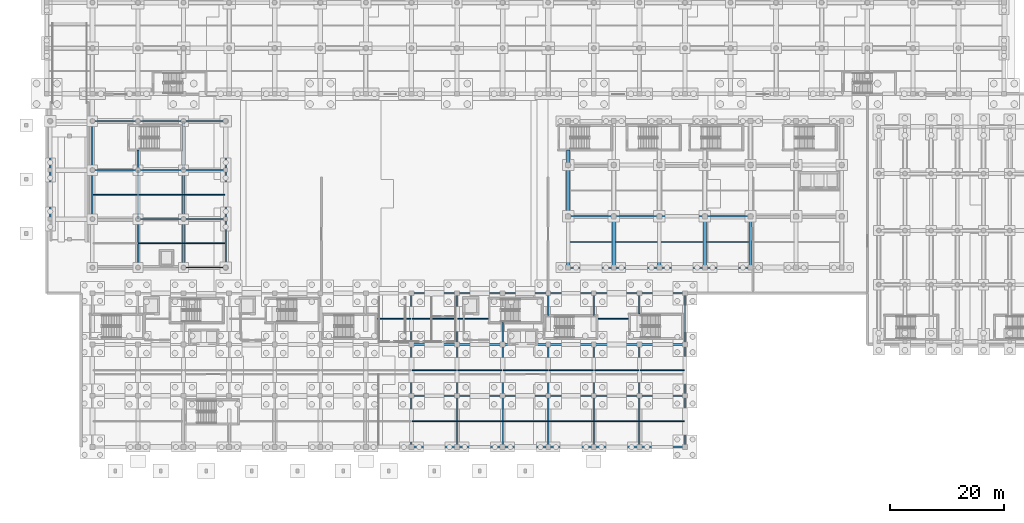
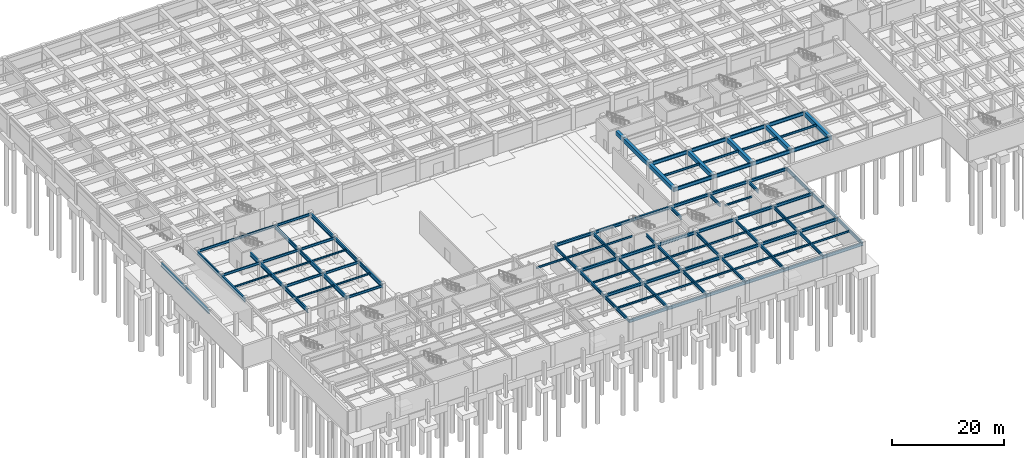
# One storey, part 19 of 48: 107 beams.
"""IFC4 building model written with IfcOpenShell, lengths in metres."""

from ifc_helpers import new_model, si_unit, direction, frame, origin, origin_2d, place, context, subcontext, project, spatial, rectangle, i_section, extrude, material, material_profile, profile_set, type_object, element, save


model = new_model("IFC4")

# Units and contexts
model_context = context("Model", 3, precision=1e-05, world=origin(), true_north=direction((0.0, 1.0)))
body_context = subcontext(model_context, "Body", "Model", "MODEL_VIEW")
ifc_project = project(units=[si_unit("LENGTHUNIT", "METRE"), si_unit("AREAUNIT", "SQUARE_METRE"), si_unit("VOLUMEUNIT", "CUBIC_METRE"), si_unit("PLANEANGLEUNIT", "RADIAN"), si_unit("MASSUNIT", "GRAM", prefix="KILO")], contexts=[model_context])

# Site, building, storey
site_placement = place(None, origin())
site = spatial("IfcSite", under=ifc_project, at=site_placement, CompositionType="ELEMENT")
building_placement = place(site_placement, origin())
building = spatial("IfcBuilding", under=site, at=building_placement, Name="Tlacozan Convention Centre", CompositionType="ELEMENT")
storey_placement = place(building_placement, frame((0.0, 0.0, -4.800048828125)))
storey = spatial("IfcBuildingStorey", under=building, at=storey_placement, Name="B01", CompositionType="ELEMENT", Elevation=-4.800048828125)

# Beams
ifc_material_1 = material(Name="Steel ASTM A992 Grade 50", Category="steel")
ifc_material_profile_1 = material_profile(ifc_material_1, i_section(OverallWidth=0.2109375, OverallDepth=0.5390625, WebThickness=0.01171875, FlangeThickness=0.018798828125, FilletRadius=0.012939453125, at=origin_2d()), Name="IR 533x109.0")
ifc_profile_set_1 = profile_set([ifc_material_profile_1], Name="Steel ASTM A992 Grade 50")
beam_type_1 = type_object("IfcBeamType", Name="Floor Beam IR 533x109", PredefinedType="BEAM", material=ifc_profile_set_1)
for number, where, z_axis, x_axis, name in (
    (1, (8.0, 48.60009765625, 4.170654296875), (1.0, 0.0, 0.0), (0.0, 1.0, 0.0), "B01 Floor Beam IR 533x109 1635"),
    (2, (8.0, 57.199951171875, 4.170654296875), (1.0, 0.0, 0.0), (0.0, 1.0, 0.0), "B01 Floor Beam IR 533x109 1636"),
    (3, (16.0, 40.0, 4.170654296875), (1.0, 0.0, 0.0), (0.0, 1.0, 0.0), "B01 Floor Beam IR 533x109 1640"),
    (4, (16.0, 48.60009765625, 4.170654296875), (1.0, 0.0, 0.0), (0.0, 1.0, 0.0), "B01 Floor Beam IR 533x109 1641"),
    (5, (16.0, 57.199951171875, 4.170654296875), (1.0, 0.0, 0.0), (0.0, 1.0, 0.0), "B01 Floor Beam IR 533x109 1642"),
):
    element("IfcBeam", number, at=place(storey_placement, frame(where, z_axis=z_axis, x_axis=x_axis)), inside=storey, type_object=beam_type_1, Name=name, PredefinedType="BEAM", context=body_context, shape_type="SweptSolid", body=[
        extrude(i_section(OverallWidth=0.2109375, OverallDepth=0.5390625, WebThickness=0.01171875, FlangeThickness=0.018798828125, FilletRadius=0.012939453125, at=origin_2d()), origin(), (0.0, 0.0, 1.0), 8.0),
    ])
for number, where, z_axis, x_axis, name in (
    (6, (24.0, 31.5, 4.170654296875), (1.0, 0.0, 0.0), (0.0, 1.0, 0.0), "B01 Floor Beam IR 533x109 1645"),
    (7, (24.0, 40.0, 4.170654296875), (1.0, 0.0, 0.0), (0.0, 1.0, 0.0), "B01 Floor Beam IR 533x109 1646"),
    (8, (24.0, 48.60009765625, 4.170654296875), (1.0, 0.0, 0.0), (0.0, 1.0, 0.0), "B01 Floor Beam IR 533x109 1647"),
    (9, (24.0, 57.199951171875, 4.170654296875), (1.0, 0.0, 0.0), (0.0, 1.0, 0.0), "B01 Floor Beam IR 533x109 1648"),
):
    element("IfcBeam", number, at=place(storey_placement, frame(where, z_axis=z_axis, x_axis=x_axis)), inside=storey, type_object=beam_type_1, Name=name, PredefinedType="BEAM", context=body_context, shape_type="SweptSolid", body=[
        extrude(i_section(OverallWidth=0.2109375, OverallDepth=0.5390625, WebThickness=0.01171875, FlangeThickness=0.018798828125, FilletRadius=0.012939453125, at=origin_2d()), origin(), (0.0, 0.0, 1.0), 7.39990234375),
    ])
ifc_material_profile_2 = material_profile(ifc_material_1, i_section(OverallWidth=0.323974609375, OverallDepth=0.611083984375, WebThickness=0.0126953125, FlangeThickness=0.01904296875, FilletRadius=0.012939453125, at=origin_2d()), Name="IR 610x155.0")
ifc_profile_set_2 = profile_set([ifc_material_profile_2], Name="Steel ASTM A992 Grade 50")
beam_type_2 = type_object("IfcBeamType", Name="Floor Beam IR 610x155", PredefinedType="BEAM", material=ifc_profile_set_2)
for number, where, z_axis, x_axis, name in (
    (10, (64.0, 0.0, 4.134521484375), (1.0, 0.0, 0.0), (0.0, 1.0, 0.0), "B01 Floor Beam IR 610x155 71"),
    (11, (64.0, 9.0, 4.134521484375), (1.0, 0.0, 0.0), (0.0, 1.0, 0.0), "B01 Floor Beam IR 610x155 72"),
    (12, (64.0, 18.0, 4.134521484375), (1.0, 0.0, 0.0), (0.0, 1.0, 0.0), "B01 Floor Beam IR 610x155 73"),
    (13, (64.0, 27.0, 4.134521484375), (1.0, 0.0, 0.0), (0.0, 1.0, 0.0), "B01 Floor Beam IR 610x155 74"),
    (14, (72.0, 0.0, 4.134521484375), (1.0, 0.0, 0.0), (0.0, 1.0, 0.0), "B01 Floor Beam IR 610x155 75"),
    (15, (72.0, 9.0, 4.134521484375), (1.0, 0.0, 0.0), (0.0, 1.0, 0.0), "B01 Floor Beam IR 610x155 76"),
    (16, (72.0, 18.0, 4.134521484375), (1.0, 0.0, 0.0), (0.0, 1.0, 0.0), "B01 Floor Beam IR 610x155 77"),
    (17, (72.0, 27.0, 4.134521484375), (1.0, 0.0, 0.0), (0.0, 1.0, 0.0), "B01 Floor Beam IR 610x155 78"),
    (18, (80.0, 0.0, 4.134521484375), (1.0, 0.0, 0.0), (0.0, 1.0, 0.0), "B01 Floor Beam IR 610x155 79"),
    (19, (80.0, 9.0, 4.134521484375), (1.0, 0.0, 0.0), (0.0, 1.0, 0.0), "B01 Floor Beam IR 610x155 80"),
    (20, (80.0, 18.0, 4.134521484375), (1.0, 0.0, 0.0), (0.0, 1.0, 0.0), "B01 Floor Beam IR 610x155 81"),
    (21, (80.0, 27.0, 4.134521484375), (1.0, 0.0, 0.0), (0.0, 1.0, 0.0), "B01 Floor Beam IR 610x155 82"),
    (22, (88.0, 0.0, 4.134521484375), (1.0, 0.0, 0.0), (0.0, 1.0, 0.0), "B01 Floor Beam IR 610x155 83"),
    (23, (88.0, 9.0, 4.134521484375), (1.0, 0.0, 0.0), (0.0, 1.0, 0.0), "B01 Floor Beam IR 610x155 84"),
    (24, (88.0, 18.0, 4.134521484375), (1.0, 0.0, 0.0), (0.0, 1.0, 0.0), "B01 Floor Beam IR 610x155 85"),
    (25, (88.0, 27.0, 4.134521484375), (1.0, 0.0, 0.0), (0.0, 1.0, 0.0), "B01 Floor Beam IR 610x155 86"),
    (26, (96.0, 0.0, 4.134521484375), (1.0, 0.0, 0.0), (0.0, 1.0, 0.0), "B01 Floor Beam IR 610x155 87"),
    (27, (96.0, 9.0, 4.134521484375), (1.0, 0.0, 0.0), (0.0, 1.0, 0.0), "B01 Floor Beam IR 610x155 88"),
    (28, (96.0, 18.0, 4.134521484375), (1.0, 0.0, 0.0), (0.0, 1.0, 0.0), "B01 Floor Beam IR 610x155 89"),
    (29, (96.0, 27.0, 4.134521484375), (1.0, 0.0, 0.0), (0.0, 1.0, 0.0), "B01 Floor Beam IR 610x155 90"),
    (30, (104.0, 0.0, 4.134521484375), (1.0, 0.0, 0.0), (0.0, 1.0, 0.0), "B01 Floor Beam IR 610x155 91"),
    (31, (104.0, 9.0, 4.134521484375), (1.0, 0.0, 0.0), (0.0, 1.0, 0.0), "B01 Floor Beam IR 610x155 92"),
    (32, (104.0, 18.0, 4.134521484375), (1.0, 0.0, 0.0), (0.0, 1.0, 0.0), "B01 Floor Beam IR 610x155 93"),
    (33, (104.0, 27.0, 4.134521484375), (1.0, 0.0, 0.0), (0.0, 1.0, 0.0), "B01 Floor Beam IR 610x155 94"),
):
    element("IfcBeam", number, at=place(storey_placement, frame(where, z_axis=z_axis, x_axis=x_axis)), inside=storey, type_object=beam_type_2, Name=name, PredefinedType="BEAM", context=body_context, shape_type="SweptSolid", body=[
        extrude(i_section(OverallWidth=0.323974609375, OverallDepth=0.611083984375, WebThickness=0.0126953125, FlangeThickness=0.01904296875, FilletRadius=0.012939453125, at=origin_2d()), origin(), (0.0, 0.0, 1.0), 8.0),
    ])
ifc_material_2 = material(Name="Concrete C40/50", Category="concrete")
ifc_material_profile_3 = material_profile(ifc_material_2, rectangle(XDim=0.60009765625, YDim=0.89990234375, at=origin_2d()), Name="RC 600x900")
ifc_profile_set_3 = profile_set([ifc_material_profile_3], Name="Concrete C40/50")
beam_type_3 = type_object("IfcBeamType", Name="Girder RC 600x900", PredefinedType="BEAM", material=ifc_profile_set_3)
for number, where, z_axis, x_axis, name in (
    (34, (91.5, 31.5, 3.989990234375), (0.0, 1.0, 0.0), (-1.0, 0.0, 0.0), "B01 Girder RC 600x900 1351"),
    (35, (91.5, 40.5, 3.989990234375), (0.0, 1.0, 0.0), (-1.0, 0.0, 0.0), "B01 Girder RC 600x900 1352"),
):
    element("IfcBeam", number, at=place(storey_placement, frame(where, z_axis=z_axis, x_axis=x_axis)), inside=storey, type_object=beam_type_3, Name=name, PredefinedType="BEAM", context=body_context, shape_type="SweptSolid", body=[
        extrude(rectangle(XDim=0.60009765625, YDim=0.89990234375, at=origin_2d()), origin(), (0.0, 0.0, 1.0), 9.0),
    ])
beam_1_placement = place(storey_placement, frame((91.5, 49.5, 3.989990234375), z_axis=(0.0, 1.0, 0.0), x_axis=(-1.0, 0.0, 0.0)))
element("IfcBeam", 36, at=beam_1_placement, inside=storey, type_object=beam_type_3, Name="B01 Girder RC 600x900 1353", PredefinedType="BEAM", context=body_context, shape_type="SweptSolid", body=[
    extrude(rectangle(XDim=0.60009765625, YDim=0.89990234375, at=origin_2d()), origin(), (0.0, 0.0, 1.0), 2.639892578125),
])
for number, where, z_axis, x_axis, name in (
    (37, (99.5, 31.5, 3.989990234375), (0.0, 1.0, 0.0), (-1.0, 0.0, 0.0), "B01 Girder RC 600x900 1354"),
    (38, (107.5, 31.5, 3.989990234375), (0.0, 1.0, 0.0), (-1.0, 0.0, 0.0), "B01 Girder RC 600x900 1357"),
    (39, (115.5, 31.5, 3.989990234375), (0.0, 1.0, 0.0), (-1.0, 0.0, 0.0), "B01 Girder RC 600x900 1360"),
    (40, (123.5, 31.5, 3.989990234375), (0.0, 1.0, 0.0), (-1.0, 0.0, 0.0), "B01 Girder RC 600x900 1363"),
):
    element("IfcBeam", number, at=place(storey_placement, frame(where, z_axis=z_axis, x_axis=x_axis)), inside=storey, type_object=beam_type_3, Name=name, PredefinedType="BEAM", context=body_context, shape_type="SweptSolid", body=[
        extrude(rectangle(XDim=0.60009765625, YDim=0.89990234375, at=origin_2d()), origin(), (0.0, 0.0, 1.0), 9.0),
    ])
ifc_material_profile_4 = material_profile(ifc_material_1, i_section(OverallWidth=0.256103515625, OverallDepth=0.693115234375, WebThickness=0.014404296875, FlangeThickness=0.023681640625, FilletRadius=0.014892578125, at=origin_2d()), Name="IR 686x170.0")
ifc_profile_set_4 = profile_set([ifc_material_profile_4], Name="Steel ASTM A992 Grade 50")
beam_type_4 = type_object("IfcBeamType", Name="Girder Steel IR 686x170", PredefinedType="BEAM", material=ifc_profile_set_4)
for number, where, z_axis, x_axis, name in (
    (41, (64.0, 0.0, 4.093505859375), (0.0, 1.0, 0.0), (-1.0, 0.0, 0.0), "B01 Girder Steel IR 686x170 22"),
    (42, (64.0, 9.0, 4.093505859375), (0.0, 1.0, 0.0), (-1.0, 0.0, 0.0), "B01 Girder Steel IR 686x170 23"),
    (43, (64.0, 18.0, 4.093505859375), (0.0, 1.0, 0.0), (-1.0, 0.0, 0.0), "B01 Girder Steel IR 686x170 24"),
    (44, (72.0, 0.0, 4.093505859375), (0.0, 1.0, 0.0), (-1.0, 0.0, 0.0), "B01 Girder Steel IR 686x170 25"),
    (45, (72.0, 9.0, 4.093505859375), (0.0, 1.0, 0.0), (-1.0, 0.0, 0.0), "B01 Girder Steel IR 686x170 26"),
    (46, (72.0, 18.0, 4.093505859375), (0.0, 1.0, 0.0), (-1.0, 0.0, 0.0), "B01 Girder Steel IR 686x170 27"),
    (47, (80.0, 0.0, 4.093505859375), (0.0, 1.0, 0.0), (-1.0, 0.0, 0.0), "B01 Girder Steel IR 686x170 28"),
    (48, (80.0, 9.0, 4.093505859375), (0.0, 1.0, 0.0), (-1.0, 0.0, 0.0), "B01 Girder Steel IR 686x170 29"),
):
    element("IfcBeam", number, at=place(storey_placement, frame(where, z_axis=z_axis, x_axis=x_axis)), inside=storey, type_object=beam_type_4, Name=name, PredefinedType="BEAM", context=body_context, shape_type="SweptSolid", body=[
        extrude(i_section(OverallWidth=0.256103515625, OverallDepth=0.693115234375, WebThickness=0.014404296875, FlangeThickness=0.023681640625, FilletRadius=0.014892578125, at=origin_2d()), origin(), (0.0, 0.0, 1.0), 9.0),
    ])
beam_2_placement = place(storey_placement, frame((80.0, 18.0, 4.093505859375), z_axis=(0.0, 1.0, 0.0), x_axis=(-1.0, 0.0, 0.0)))
element("IfcBeam", 49, at=beam_2_placement, inside=storey, type_object=beam_type_4, Name="B01 Girder Steel IR 686x170 30", PredefinedType="BEAM", context=body_context, shape_type="SweptSolid", body=[
    extrude(i_section(OverallWidth=0.256103515625, OverallDepth=0.693115234375, WebThickness=0.014404296875, FlangeThickness=0.023681640625, FilletRadius=0.014892578125, at=origin_2d()), origin(), (0.0, 0.0, 1.0), 3.840087890625),
])
for number, where, z_axis, x_axis, name in (
    (50, (88.0, 0.0, 4.093505859375), (0.0, 1.0, 0.0), (-1.0, 0.0, 0.0), "B01 Girder Steel IR 686x170 31"),
    (51, (88.0, 9.0, 4.093505859375), (0.0, 1.0, 0.0), (-1.0, 0.0, 0.0), "B01 Girder Steel IR 686x170 32"),
):
    element("IfcBeam", number, at=place(storey_placement, frame(where, z_axis=z_axis, x_axis=x_axis)), inside=storey, type_object=beam_type_4, Name=name, PredefinedType="BEAM", context=body_context, shape_type="SweptSolid", body=[
        extrude(i_section(OverallWidth=0.256103515625, OverallDepth=0.693115234375, WebThickness=0.014404296875, FlangeThickness=0.023681640625, FilletRadius=0.014892578125, at=origin_2d()), origin(), (0.0, 0.0, 1.0), 9.0),
    ])
beam_3_placement = place(storey_placement, frame((88.0, 23.06005859375, 4.093505859375), z_axis=(0.0, 1.0, 0.0), x_axis=(-1.0, 0.0, 0.0)))
element("IfcBeam", 52, at=beam_3_placement, inside=storey, type_object=beam_type_4, Name="B01 Girder Steel IR 686x170 33", PredefinedType="BEAM", context=body_context, shape_type="SweptSolid", body=[
    extrude(i_section(OverallWidth=0.256103515625, OverallDepth=0.693115234375, WebThickness=0.014404296875, FlangeThickness=0.023681640625, FilletRadius=0.014892578125, at=origin_2d()), origin(), (0.0, 0.0, 1.0), 3.93994140625),
])
for number, where, z_axis, x_axis, name in (
    (53, (96.0, 0.0, 4.093505859375), (0.0, 1.0, 0.0), (-1.0, 0.0, 0.0), "B01 Girder Steel IR 686x170 34"),
    (54, (96.0, 9.0, 4.093505859375), (0.0, 1.0, 0.0), (-1.0, 0.0, 0.0), "B01 Girder Steel IR 686x170 35"),
):
    element("IfcBeam", number, at=place(storey_placement, frame(where, z_axis=z_axis, x_axis=x_axis)), inside=storey, type_object=beam_type_4, Name=name, PredefinedType="BEAM", context=body_context, shape_type="SweptSolid", body=[
        extrude(i_section(OverallWidth=0.256103515625, OverallDepth=0.693115234375, WebThickness=0.014404296875, FlangeThickness=0.023681640625, FilletRadius=0.014892578125, at=origin_2d()), origin(), (0.0, 0.0, 1.0), 9.0),
    ])
beam_4_placement = place(storey_placement, frame((96.0, 23.06005859375, 4.093505859375), z_axis=(0.0, 1.0, 0.0), x_axis=(-1.0, 0.0, 0.0)))
element("IfcBeam", 55, at=beam_4_placement, inside=storey, type_object=beam_type_4, Name="B01 Girder Steel IR 686x170 36", PredefinedType="BEAM", context=body_context, shape_type="SweptSolid", body=[
    extrude(i_section(OverallWidth=0.256103515625, OverallDepth=0.693115234375, WebThickness=0.014404296875, FlangeThickness=0.023681640625, FilletRadius=0.014892578125, at=origin_2d()), origin(), (0.0, 0.0, 1.0), 3.93994140625),
])
for number, where, z_axis, x_axis, name in (
    (56, (104.0, 0.0, 4.093505859375), (0.0, 1.0, 0.0), (-1.0, 0.0, 0.0), "B01 Girder Steel IR 686x170 37"),
    (57, (104.0, 9.0, 4.093505859375), (0.0, 1.0, 0.0), (-1.0, 0.0, 0.0), "B01 Girder Steel IR 686x170 38"),
):
    element("IfcBeam", number, at=place(storey_placement, frame(where, z_axis=z_axis, x_axis=x_axis)), inside=storey, type_object=beam_type_4, Name=name, PredefinedType="BEAM", context=body_context, shape_type="SweptSolid", body=[
        extrude(i_section(OverallWidth=0.256103515625, OverallDepth=0.693115234375, WebThickness=0.014404296875, FlangeThickness=0.023681640625, FilletRadius=0.014892578125, at=origin_2d()), origin(), (0.0, 0.0, 1.0), 9.0),
    ])
beam_5_placement = place(storey_placement, frame((104.0, 23.320068359375, 4.093505859375), z_axis=(0.0, 1.0, 0.0), x_axis=(-1.0, 0.0, 0.0)))
element("IfcBeam", 58, at=beam_5_placement, inside=storey, type_object=beam_type_4, Name="B01 Girder Steel IR 686x170 39", PredefinedType="BEAM", context=body_context, shape_type="SweptSolid", body=[
    extrude(i_section(OverallWidth=0.256103515625, OverallDepth=0.693115234375, WebThickness=0.014404296875, FlangeThickness=0.023681640625, FilletRadius=0.014892578125, at=origin_2d()), origin(), (0.0, 0.0, 1.0), 3.679931640625),
])
for number, where, z_axis, x_axis, name in (
    (59, (112.0, 0.0, 4.093505859375), (0.0, 1.0, 0.0), (-1.0, 0.0, 0.0), "B01 Girder Steel IR 686x170 40"),
    (60, (112.0, 9.0, 4.093505859375), (0.0, 1.0, 0.0), (-1.0, 0.0, 0.0), "B01 Girder Steel IR 686x170 41"),
    (61, (112.0, 18.0, 4.093505859375), (0.0, 1.0, 0.0), (-1.0, 0.0, 0.0), "B01 Girder Steel IR 686x170 42"),
):
    element("IfcBeam", number, at=place(storey_placement, frame(where, z_axis=z_axis, x_axis=x_axis)), inside=storey, type_object=beam_type_4, Name=name, PredefinedType="BEAM", context=body_context, shape_type="SweptSolid", body=[
        extrude(i_section(OverallWidth=0.256103515625, OverallDepth=0.693115234375, WebThickness=0.014404296875, FlangeThickness=0.023681640625, FilletRadius=0.014892578125, at=origin_2d()), origin(), (0.0, 0.0, 1.0), 9.0),
    ])
ifc_material_profile_5 = material_profile(ifc_material_1, i_section(OverallWidth=0.26806640625, OverallDepth=0.77001953125, WebThickness=0.015625, FlangeThickness=0.025390625, FilletRadius=0.01708984375, at=origin_2d()), Name="IR 762x196.0")
ifc_profile_set_5 = profile_set([ifc_material_profile_5], Name="Steel ASTM A992 Grade 50")
beam_type_5 = type_object("IfcBeamType", Name="Girder Steel IR 762x196", PredefinedType="BEAM", material=ifc_profile_set_5)
for number, where, z_axis, x_axis, name in (
    (62, (91.5, 31.5, 4.054931640625), (1.0, 0.0, 0.0), (0.0, 1.0, 0.0), "B01 Girder Steel IR 762x196 1372"),
    (63, (91.5, 40.5, 4.054931640625), (1.0, 0.0, 0.0), (0.0, 1.0, 0.0), "B01 Girder Steel IR 762x196 1373"),
    (64, (99.5, 31.5, 4.054931640625), (1.0, 0.0, 0.0), (0.0, 1.0, 0.0), "B01 Girder Steel IR 762x196 1378"),
    (65, (99.5, 40.5, 4.054931640625), (1.0, 0.0, 0.0), (0.0, 1.0, 0.0), "B01 Girder Steel IR 762x196 1379"),
    (66, (107.5, 31.5, 4.054931640625), (1.0, 0.0, 0.0), (0.0, 1.0, 0.0), "B01 Girder Steel IR 762x196 1384"),
    (67, (107.5, 40.5, 4.054931640625), (1.0, 0.0, 0.0), (0.0, 1.0, 0.0), "B01 Girder Steel IR 762x196 1385"),
    (68, (115.5, 31.5, 4.054931640625), (1.0, 0.0, 0.0), (0.0, 1.0, 0.0), "B01 Girder Steel IR 762x196 1390"),
    (69, (115.5, 40.5, 4.054931640625), (1.0, 0.0, 0.0), (0.0, 1.0, 0.0), "B01 Girder Steel IR 762x196 1391"),
):
    element("IfcBeam", number, at=place(storey_placement, frame(where, z_axis=z_axis, x_axis=x_axis)), inside=storey, type_object=beam_type_5, Name=name, PredefinedType="BEAM", context=body_context, shape_type="SweptSolid", body=[
        extrude(i_section(OverallWidth=0.26806640625, OverallDepth=0.77001953125, WebThickness=0.015625, FlangeThickness=0.025390625, FilletRadius=0.01708984375, at=origin_2d()), origin(), (0.0, 0.0, 1.0), 8.0),
    ])
ifc_material_profile_6 = material_profile(ifc_material_1, i_section(OverallWidth=0.2939453125, OverallDepth=0.85107421875, WebThickness=0.01611328125, FlangeThickness=0.02685546875, FilletRadius=0.01806640625, at=origin_2d()), Name="IR 838x226.0")
ifc_profile_set_6 = profile_set([ifc_material_profile_6], Name="Steel ASTM A992 Grade 50")
beam_type_6 = type_object("IfcBeamType", Name="Girder Steel IR 838x226", PredefinedType="BEAM", material=ifc_profile_set_6)
beam_6_placement = place(storey_placement, frame((0.60009765625, 40.0, 4.0146484375), z_axis=(0.0, 1.0, 0.0), x_axis=(-1.0, 0.0, 0.0)))
element("IfcBeam", 70, at=beam_6_placement, inside=storey, type_object=beam_type_6, Name="B01 Girder Steel IR 838x226 1619", PredefinedType="BEAM", context=body_context, shape_type="SweptSolid", body=[
    extrude(i_section(OverallWidth=0.2939453125, OverallDepth=0.85107421875, WebThickness=0.01611328125, FlangeThickness=0.02685546875, FilletRadius=0.01806640625, at=origin_2d()), origin(), (0.0, 0.0, 1.0), 8.60009765625),
])
beam_7_placement = place(storey_placement, frame((0.60009765625, 48.60009765625, 4.0146484375), z_axis=(0.0, 1.0, 0.0), x_axis=(-1.0, 0.0, 0.0)))
element("IfcBeam", 71, at=beam_7_placement, inside=storey, type_object=beam_type_6, Name="B01 Girder Steel IR 838x226 1620", PredefinedType="BEAM", context=body_context, shape_type="SweptSolid", body=[
    extrude(i_section(OverallWidth=0.2939453125, OverallDepth=0.85107421875, WebThickness=0.01611328125, FlangeThickness=0.02685546875, FilletRadius=0.01806640625, at=origin_2d()), origin(), (0.0, 0.0, 1.0), 8.599853515625),
])
beam_8_placement = place(storey_placement, frame((8.0, 40.0, 4.0146484375), z_axis=(0.0, 1.0, 0.0), x_axis=(-1.0, 0.0, 0.0)))
element("IfcBeam", 72, at=beam_8_placement, inside=storey, type_object=beam_type_6, Name="B01 Girder Steel IR 838x226 1622", PredefinedType="BEAM", context=body_context, shape_type="SweptSolid", body=[
    extrude(i_section(OverallWidth=0.2939453125, OverallDepth=0.85107421875, WebThickness=0.01611328125, FlangeThickness=0.02685546875, FilletRadius=0.01806640625, at=origin_2d()), origin(), (0.0, 0.0, 1.0), 8.60009765625),
])
beam_9_placement = place(storey_placement, frame((8.0, 48.60009765625, 4.0146484375), z_axis=(0.0, 1.0, 0.0), x_axis=(-1.0, 0.0, 0.0)))
element("IfcBeam", 73, at=beam_9_placement, inside=storey, type_object=beam_type_6, Name="B01 Girder Steel IR 838x226 1623", PredefinedType="BEAM", context=body_context, shape_type="SweptSolid", body=[
    extrude(i_section(OverallWidth=0.2939453125, OverallDepth=0.85107421875, WebThickness=0.01611328125, FlangeThickness=0.02685546875, FilletRadius=0.01806640625, at=origin_2d()), origin(), (0.0, 0.0, 1.0), 8.599853515625),
])
beam_10_placement = place(storey_placement, frame((16.0, 31.5, 4.0146484375), z_axis=(0.0, 1.0, 0.0), x_axis=(-1.0, 0.0, 0.0)))
element("IfcBeam", 74, at=beam_10_placement, inside=storey, type_object=beam_type_6, Name="B01 Girder Steel IR 838x226 1624", PredefinedType="BEAM", context=body_context, shape_type="SweptSolid", body=[
    extrude(i_section(OverallWidth=0.2939453125, OverallDepth=0.85107421875, WebThickness=0.01611328125, FlangeThickness=0.02685546875, FilletRadius=0.01806640625, at=origin_2d()), origin(), (0.0, 0.0, 1.0), 8.5),
])
beam_11_placement = place(storey_placement, frame((16.0, 40.0, 4.0146484375), z_axis=(0.0, 1.0, 0.0), x_axis=(-1.0, 0.0, 0.0)))
element("IfcBeam", 75, at=beam_11_placement, inside=storey, type_object=beam_type_6, Name="B01 Girder Steel IR 838x226 1625", PredefinedType="BEAM", context=body_context, shape_type="SweptSolid", body=[
    extrude(i_section(OverallWidth=0.2939453125, OverallDepth=0.85107421875, WebThickness=0.01611328125, FlangeThickness=0.02685546875, FilletRadius=0.01806640625, at=origin_2d()), origin(), (0.0, 0.0, 1.0), 8.60009765625),
])
beam_12_placement = place(storey_placement, frame((16.0, 48.60009765625, 4.0146484375), z_axis=(0.0, 1.0, 0.0), x_axis=(-1.0, 0.0, 0.0)))
element("IfcBeam", 76, at=beam_12_placement, inside=storey, type_object=beam_type_6, Name="B01 Girder Steel IR 838x226 1626", PredefinedType="BEAM", context=body_context, shape_type="SweptSolid", body=[
    extrude(i_section(OverallWidth=0.2939453125, OverallDepth=0.85107421875, WebThickness=0.01611328125, FlangeThickness=0.02685546875, FilletRadius=0.01806640625, at=origin_2d()), origin(), (0.0, 0.0, 1.0), 3.539794921875),
])
beam_13_placement = place(storey_placement, frame((24.0, 31.5, 4.0146484375), z_axis=(0.0, 1.0, 0.0), x_axis=(-1.0, 0.0, 0.0)))
element("IfcBeam", 77, at=beam_13_placement, inside=storey, type_object=beam_type_6, Name="B01 Girder Steel IR 838x226 1627", PredefinedType="BEAM", context=body_context, shape_type="SweptSolid", body=[
    extrude(i_section(OverallWidth=0.2939453125, OverallDepth=0.85107421875, WebThickness=0.01611328125, FlangeThickness=0.02685546875, FilletRadius=0.01806640625, at=origin_2d()), origin(), (0.0, 0.0, 1.0), 8.5),
])
beam_14_placement = place(storey_placement, frame((24.0, 40.0, 4.0146484375), z_axis=(0.0, 1.0, 0.0), x_axis=(-1.0, 0.0, 0.0)))
element("IfcBeam", 78, at=beam_14_placement, inside=storey, type_object=beam_type_6, Name="B01 Girder Steel IR 838x226 1628", PredefinedType="BEAM", context=body_context, shape_type="SweptSolid", body=[
    extrude(i_section(OverallWidth=0.2939453125, OverallDepth=0.85107421875, WebThickness=0.01611328125, FlangeThickness=0.02685546875, FilletRadius=0.01806640625, at=origin_2d()), origin(), (0.0, 0.0, 1.0), 8.60009765625),
])
beam_15_placement = place(storey_placement, frame((24.0, 48.60009765625, 4.0146484375), z_axis=(0.0, 1.0, 0.0), x_axis=(-1.0, 0.0, 0.0)))
element("IfcBeam", 79, at=beam_15_placement, inside=storey, type_object=beam_type_6, Name="B01 Girder Steel IR 838x226 1629", PredefinedType="BEAM", context=body_context, shape_type="SweptSolid", body=[
    extrude(i_section(OverallWidth=0.2939453125, OverallDepth=0.85107421875, WebThickness=0.01611328125, FlangeThickness=0.02685546875, FilletRadius=0.01806640625, at=origin_2d()), origin(), (0.0, 0.0, 1.0), 8.599853515625),
])
beam_16_placement = place(storey_placement, frame((31.39990234375, 31.5, 4.0146484375), z_axis=(0.0, 1.0, 0.0), x_axis=(-1.0, 0.0, 0.0)))
element("IfcBeam", 80, at=beam_16_placement, inside=storey, type_object=beam_type_6, Name="B01 Girder Steel IR 838x226 1630", PredefinedType="BEAM", context=body_context, shape_type="SweptSolid", body=[
    extrude(i_section(OverallWidth=0.2939453125, OverallDepth=0.85107421875, WebThickness=0.01611328125, FlangeThickness=0.02685546875, FilletRadius=0.01806640625, at=origin_2d()), origin(), (0.0, 0.0, 1.0), 8.5),
])
beam_17_placement = place(storey_placement, frame((31.39990234375, 40.0, 4.0146484375), z_axis=(0.0, 1.0, 0.0), x_axis=(-1.0, 0.0, 0.0)))
element("IfcBeam", 81, at=beam_17_placement, inside=storey, type_object=beam_type_6, Name="B01 Girder Steel IR 838x226 1631", PredefinedType="BEAM", context=body_context, shape_type="SweptSolid", body=[
    extrude(i_section(OverallWidth=0.2939453125, OverallDepth=0.85107421875, WebThickness=0.01611328125, FlangeThickness=0.02685546875, FilletRadius=0.01806640625, at=origin_2d()), origin(), (0.0, 0.0, 1.0), 8.60009765625),
])
beam_18_placement = place(storey_placement, frame((31.39990234375, 48.60009765625, 4.0146484375), z_axis=(0.0, 1.0, 0.0), x_axis=(-1.0, 0.0, 0.0)))
element("IfcBeam", 82, at=beam_18_placement, inside=storey, type_object=beam_type_6, Name="B01 Girder Steel IR 838x226 1632", PredefinedType="BEAM", context=body_context, shape_type="SweptSolid", body=[
    extrude(i_section(OverallWidth=0.2939453125, OverallDepth=0.85107421875, WebThickness=0.01611328125, FlangeThickness=0.02685546875, FilletRadius=0.01806640625, at=origin_2d()), origin(), (0.0, 0.0, 1.0), 8.599853515625),
])
ifc_material_profile_7 = material_profile(ifc_material_1, i_section(OverallWidth=0.173095703125, OverallDepth=0.364013671875, WebThickness=0.009033203125, FlangeThickness=0.015625, FilletRadius=0.010009765625, at=origin_2d()), Name="IR 356x67.1")
ifc_profile_set_7 = profile_set([ifc_material_profile_7], Name="Steel ASTM A992 Grade 50")
beam_type_7 = type_object("IfcBeamType", Name="Secondary Joist IR 356x67.1", PredefinedType="JOIST", material=ifc_profile_set_7)
for number, where, z_axis, x_axis, name in (
    (83, (8.1259765625, 44.300048828125, 4.258056640625), (1.0, 0.0, 0.0), (0.0, 1.0, 0.0), "B01 Secondary Joist IR 356x67.1 1638"),
    (84, (16.1259765625, 35.800048828125, 4.258056640625), (1.0, 0.0, 0.0), (0.0, 1.0, 0.0), "B01 Secondary Joist IR 356x67.1 1643"),
    (85, (16.1259765625, 44.300048828125, 4.258056640625), (1.0, 0.0, 0.0), (0.0, 1.0, 0.0), "B01 Secondary Joist IR 356x67.1 1644"),
):
    element("IfcBeam", number, at=place(storey_placement, frame(where, z_axis=z_axis, x_axis=x_axis)), inside=storey, type_object=beam_type_7, Name=name, PredefinedType="JOIST", context=body_context, shape_type="SweptSolid", body=[
        extrude(i_section(OverallWidth=0.173095703125, OverallDepth=0.364013671875, WebThickness=0.009033203125, FlangeThickness=0.015625, FilletRadius=0.010009765625, at=origin_2d()), origin(), (0.0, 0.0, 1.0), 7.748046875),
    ])
for number, where, z_axis, x_axis, name in (
    (86, (24.1259765625, 35.800048828125, 4.258056640625), (1.0, 0.0, 0.0), (0.0, 1.0, 0.0), "B01 Secondary Joist IR 356x67.1 1649"),
    (87, (24.1259765625, 44.300048828125, 4.258056640625), (1.0, 0.0, 0.0), (0.0, 1.0, 0.0), "B01 Secondary Joist IR 356x67.1 1650"),
):
    element("IfcBeam", number, at=place(storey_placement, frame(where, z_axis=z_axis, x_axis=x_axis)), inside=storey, type_object=beam_type_7, Name=name, PredefinedType="JOIST", context=body_context, shape_type="SweptSolid", body=[
        extrude(i_section(OverallWidth=0.173095703125, OverallDepth=0.364013671875, WebThickness=0.009033203125, FlangeThickness=0.015625, FilletRadius=0.010009765625, at=origin_2d()), origin(), (0.0, 0.0, 1.0), 7.14794921875),
    ])
ifc_material_profile_8 = material_profile(ifc_material_1, i_section(OverallWidth=0.179931640625, OverallDepth=0.4130859375, WebThickness=0.009765625, FlangeThickness=0.01611328125, FilletRadius=0.010986328125, at=origin_2d()), Name="IR 406x74.4")
ifc_profile_set_8 = profile_set([ifc_material_profile_8], Name="Steel ASTM A992 Grade 50")
beam_type_8 = type_object("IfcBeamType", Name="Secondary Joist IR 406x74.4", PredefinedType="JOIST", material=ifc_profile_set_8)
beam_19_placement = place(storey_placement, frame((57.760009765625, 22.5, 4.233642578125), z_axis=(1.0, 0.0, 0.0), x_axis=(0.0, 1.0, 0.0)))
element("IfcBeam", 88, at=beam_19_placement, inside=storey, type_object=beam_type_8, Name="B01 Secondary Joist IR 406x74.4 110", PredefinedType="JOIST", context=body_context, shape_type="SweptSolid", body=[
    extrude(i_section(OverallWidth=0.179931640625, OverallDepth=0.4130859375, WebThickness=0.009765625, FlangeThickness=0.01611328125, FilletRadius=0.010986328125, at=origin_2d()), origin(), (0.0, 0.0, 1.0), 6.114013671875),
])
for number, where, z_axis, x_axis, name in (
    (89, (64.1259765625, 4.5, 4.233642578125), (1.0, 0.0, 0.0), (0.0, 1.0, 0.0), "B01 Secondary Joist IR 406x74.4 111"),
    (90, (64.1259765625, 13.5, 4.233642578125), (1.0, 0.0, 0.0), (0.0, 1.0, 0.0), "B01 Secondary Joist IR 406x74.4 112"),
    (91, (64.1259765625, 22.5, 4.233642578125), (1.0, 0.0, 0.0), (0.0, 1.0, 0.0), "B01 Secondary Joist IR 406x74.4 113"),
    (92, (72.1259765625, 4.5, 4.233642578125), (1.0, 0.0, 0.0), (0.0, 1.0, 0.0), "B01 Secondary Joist IR 406x74.4 114"),
    (93, (72.1259765625, 13.5, 4.233642578125), (1.0, 0.0, 0.0), (0.0, 1.0, 0.0), "B01 Secondary Joist IR 406x74.4 115"),
):
    element("IfcBeam", number, at=place(storey_placement, frame(where, z_axis=z_axis, x_axis=x_axis)), inside=storey, type_object=beam_type_8, Name=name, PredefinedType="JOIST", context=body_context, shape_type="SweptSolid", body=[
        extrude(i_section(OverallWidth=0.179931640625, OverallDepth=0.4130859375, WebThickness=0.009765625, FlangeThickness=0.01611328125, FilletRadius=0.010986328125, at=origin_2d()), origin(), (0.0, 0.0, 1.0), 7.748046875),
    ])
beam_20_placement = place(storey_placement, frame((72.1259765625, 22.5, 4.233642578125), z_axis=(1.0, 0.0, 0.0), x_axis=(0.0, 1.0, 0.0)))
element("IfcBeam", 94, at=beam_20_placement, inside=storey, type_object=beam_type_8, Name="B01 Secondary Joist IR 406x74.4 116", PredefinedType="JOIST", context=body_context, shape_type="SweptSolid", body=[
    extrude(i_section(OverallWidth=0.179931640625, OverallDepth=0.4130859375, WebThickness=0.009765625, FlangeThickness=0.01611328125, FilletRadius=0.010986328125, at=origin_2d()), origin(), (0.0, 0.0, 1.0), 5.513916015625),
])
for number, where, z_axis, x_axis, name in (
    (95, (80.1259765625, 4.5, 4.233642578125), (1.0, 0.0, 0.0), (0.0, 1.0, 0.0), "B01 Secondary Joist IR 406x74.4 117"),
    (96, (80.1259765625, 13.5, 4.233642578125), (1.0, 0.0, 0.0), (0.0, 1.0, 0.0), "B01 Secondary Joist IR 406x74.4 118"),
    (97, (88.1259765625, 4.5, 4.233642578125), (1.0, 0.0, 0.0), (0.0, 1.0, 0.0), "B01 Secondary Joist IR 406x74.4 119"),
    (98, (88.1259765625, 13.5, 4.233642578125), (1.0, 0.0, 0.0), (0.0, 1.0, 0.0), "B01 Secondary Joist IR 406x74.4 120"),
    (99, (96.1259765625, 4.5, 4.233642578125), (1.0, 0.0, 0.0), (0.0, 1.0, 0.0), "B01 Secondary Joist IR 406x74.4 121"),
    (100, (96.1259765625, 13.5, 4.233642578125), (1.0, 0.0, 0.0), (0.0, 1.0, 0.0), "B01 Secondary Joist IR 406x74.4 122"),
):
    element("IfcBeam", number, at=place(storey_placement, frame(where, z_axis=z_axis, x_axis=x_axis)), inside=storey, type_object=beam_type_8, Name=name, PredefinedType="JOIST", context=body_context, shape_type="SweptSolid", body=[
        extrude(i_section(OverallWidth=0.179931640625, OverallDepth=0.4130859375, WebThickness=0.009765625, FlangeThickness=0.01611328125, FilletRadius=0.010986328125, at=origin_2d()), origin(), (0.0, 0.0, 1.0), 7.748046875),
    ])
beam_21_placement = place(storey_placement, frame((96.56005859375, 22.5, 4.233642578125), z_axis=(1.0, 0.0, 0.0), x_axis=(0.0, 1.0, 0.0)))
element("IfcBeam", 101, at=beam_21_placement, inside=storey, type_object=beam_type_8, Name="B01 Secondary Joist IR 406x74.4 123", PredefinedType="JOIST", context=body_context, shape_type="SweptSolid", body=[
    extrude(i_section(OverallWidth=0.179931640625, OverallDepth=0.4130859375, WebThickness=0.009765625, FlangeThickness=0.01611328125, FilletRadius=0.010986328125, at=origin_2d()), origin(), (0.0, 0.0, 1.0), 5.679931640625),
])
for number, where, z_axis, x_axis, name in (
    (102, (104.1259765625, 4.5, 4.233642578125), (1.0, 0.0, 0.0), (0.0, 1.0, 0.0), "B01 Secondary Joist IR 406x74.4 124"),
    (103, (104.1259765625, 13.5, 4.233642578125), (1.0, 0.0, 0.0), (0.0, 1.0, 0.0), "B01 Secondary Joist IR 406x74.4 125"),
):
    element("IfcBeam", number, at=place(storey_placement, frame(where, z_axis=z_axis, x_axis=x_axis)), inside=storey, type_object=beam_type_8, Name=name, PredefinedType="JOIST", context=body_context, shape_type="SweptSolid", body=[
        extrude(i_section(OverallWidth=0.179931640625, OverallDepth=0.4130859375, WebThickness=0.009765625, FlangeThickness=0.01611328125, FilletRadius=0.010986328125, at=origin_2d()), origin(), (0.0, 0.0, 1.0), 7.748046875),
    ])
ifc_material_profile_9 = material_profile(ifc_material_1, i_section(OverallWidth=0.19189453125, OverallDepth=0.462890625, WebThickness=0.010498046875, FlangeThickness=0.017578125, FilletRadius=0.010986328125, at=origin_2d()), Name="IR 457x89.3")
ifc_profile_set_9 = profile_set([ifc_material_profile_9], Name="Steel ASTM A992 Grade 50")
beam_type_9 = type_object("IfcBeamType", Name="Secondary Joist IR 457x89.3", PredefinedType="JOIST", material=ifc_profile_set_9)
for number, where, z_axis, x_axis, name in (
    (104, (91.798095703125, 36.0, 4.20849609375), (1.0, 0.0, 0.0), (0.0, 1.0, 0.0), "B01 Secondary Joist IR 457x89.3 1376"),
    (105, (99.798095703125, 36.0, 4.20849609375), (1.0, 0.0, 0.0), (0.0, 1.0, 0.0), "B01 Secondary Joist IR 457x89.3 1382"),
    (106, (107.798095703125, 36.0, 4.20849609375), (1.0, 0.0, 0.0), (0.0, 1.0, 0.0), "B01 Secondary Joist IR 457x89.3 1388"),
    (107, (115.798095703125, 36.0, 4.20849609375), (1.0, 0.0, 0.0), (0.0, 1.0, 0.0), "B01 Secondary Joist IR 457x89.3 1394"),
):
    element("IfcBeam", number, at=place(storey_placement, frame(where, z_axis=z_axis, x_axis=x_axis)), inside=storey, type_object=beam_type_9, Name=name, PredefinedType="JOIST", context=body_context, shape_type="SweptSolid", body=[
        extrude(i_section(OverallWidth=0.19189453125, OverallDepth=0.462890625, WebThickness=0.010498046875, FlangeThickness=0.017578125, FilletRadius=0.010986328125, at=origin_2d()), origin(), (0.0, 0.0, 1.0), 7.40380859375),
    ])

save(model, "model.ifc")
